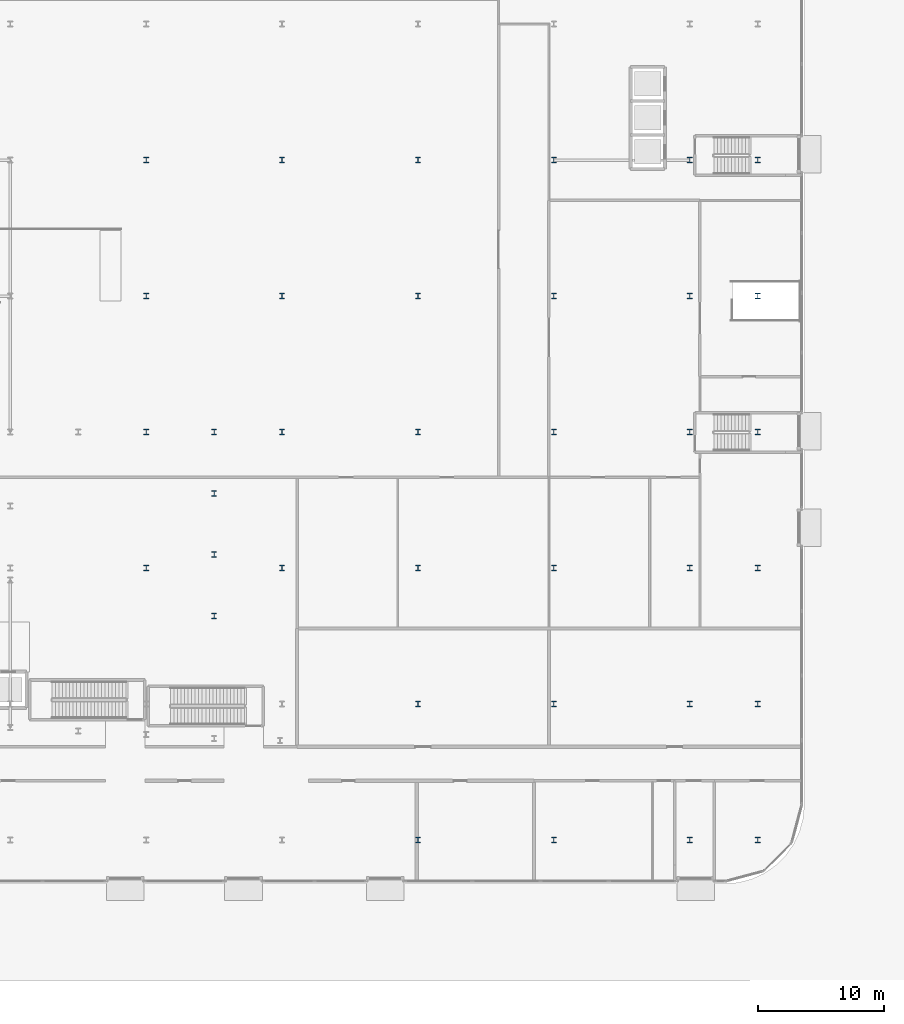
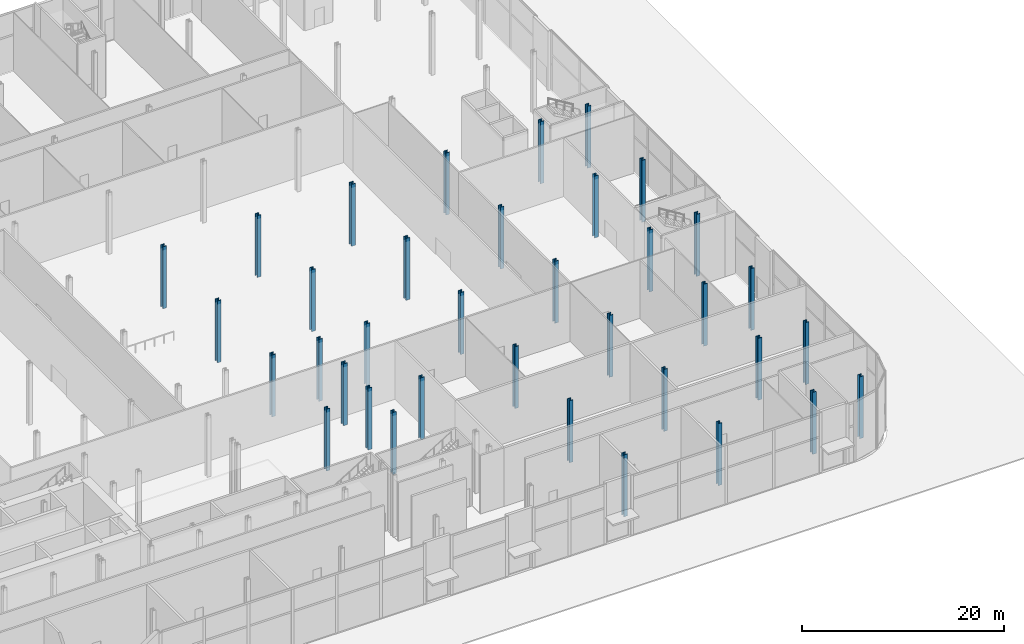
# One storey, part 2 of 46: 36 columns.
"""IFC4 building model written with IfcOpenShell, lengths in metres."""

from ifc_helpers import new_model, si_unit, direction, frame, origin, origin_2d, place, context, subcontext, project, spatial, i_section, extrude, material, material_profile, profile_set, type_object, element, save


model = new_model("IFC4")

# Units and contexts
model_context = context("Model", 3, precision=1e-05, world=origin(), true_north=direction((0.0, 1.0)))
body_context = subcontext(model_context, "Body", "Model", "MODEL_VIEW")
ifc_project = project(units=[si_unit("LENGTHUNIT", "METRE"), si_unit("AREAUNIT", "SQUARE_METRE"), si_unit("VOLUMEUNIT", "CUBIC_METRE"), si_unit("PLANEANGLEUNIT", "RADIAN"), si_unit("MASSUNIT", "GRAM", prefix="KILO")], contexts=[model_context])

# Site, building, storey
site_placement = place(None, origin())
site = spatial("IfcSite", under=ifc_project, at=site_placement, CompositionType="ELEMENT")
building_placement = place(site_placement, origin())
building = spatial("IfcBuilding", under=site, at=building_placement, Name="Kheshtan School and Residences Tower", CompositionType="ELEMENT")
storey_placement = place(building_placement, origin())
storey = spatial("IfcBuildingStorey", under=building, at=storey_placement, Name="L00", CompositionType="ELEMENT", Elevation=0.0)

# Columns
ifc_material = material(Name="Steel ASTM A992 Grade 50", Category="steel")
ifc_material_profile = material_profile(ifc_material, i_section(OverallWidth=0.424072265625, OverallDepth=0.47412109375, WebThickness=0.047607421875, FlangeThickness=0.0771484375, FilletRadius=0.01416015625, at=origin_2d()), Name="W360x634")
ifc_profile_set = profile_set([ifc_material_profile], Name="Steel ASTM A992 Grade 50")
column_type = type_object("IfcColumnType", Name="Column PC1 W360x634 ASTM A992 Grade 50", PredefinedType="COLUMN", material=ifc_profile_set)
for number, where, z_axis, x_axis, name in (
    (1, (101.60009765625, 13.199951171875, 0.0), (0.0, 0.0, 1.0), (1.0, 0.0, 0.0), "Column P-009"),
    (2, (112.39990234375, 13.199951171875, 0.0), (0.0, 0.0, 1.0), (1.0, 0.0, 0.0), "Column P-010"),
    (3, (123.199951171875, 13.199951171875, 0.0), (0.0, 0.0, 1.0), (1.0, 0.0, 0.0), "Column P-011"),
    (4, (128.60009765625, 13.199951171875, 0.0), (0.0, 0.0, 1.0), (1.0, 0.0, 0.0), "Column P-012"),
    (5, (101.60009765625, 24.0, 0.0), (0.0, 0.0, 1.0), (1.0, 0.0, 0.0), "Column P-021"),
    (6, (112.39990234375, 24.0, 0.0), (0.0, 0.0, 1.0), (1.0, 0.0, 0.0), "Column P-022"),
    (7, (123.199951171875, 24.0, 0.0), (0.0, 0.0, 1.0), (1.0, 0.0, 0.0), "Column P-023"),
    (8, (128.60009765625, 24.0, 0.0), (0.0, 0.0, 1.0), (1.0, 0.0, 0.0), "Column P-024"),
    (9, (80.0, 34.800048828125, 0.0), (0.0, 0.0, 1.0), (1.0, 0.0, 0.0), "Column P-031"),
    (10, (90.800048828125, 34.800048828125, 0.0), (0.0, 0.0, 1.0), (1.0, 0.0, 0.0), "Column P-032"),
    (11, (101.60009765625, 34.800048828125, 0.0), (0.0, 0.0, 1.0), (1.0, 0.0, 0.0), "Column P-033"),
    (12, (112.39990234375, 34.800048828125, 0.0), (0.0, 0.0, 1.0), (1.0, 0.0, 0.0), "Column P-034"),
    (13, (123.199951171875, 34.800048828125, 0.0), (0.0, 0.0, 1.0), (1.0, 0.0, 0.0), "Column P-035"),
    (14, (128.60009765625, 34.800048828125, 0.0), (0.0, 0.0, 1.0), (1.0, 0.0, 0.0), "Column P-036"),
    (15, (80.0, 45.60009765625, 0.0), (0.0, 0.0, 1.0), (1.0, 0.0, 0.0), "Column P-043"),
    (16, (90.800048828125, 45.60009765625, 0.0), (0.0, 0.0, 1.0), (1.0, 0.0, 0.0), "Column P-044"),
    (17, (101.60009765625, 45.60009765625, 0.0), (0.0, 0.0, 1.0), (1.0, 0.0, 0.0), "Column P-045"),
    (18, (112.39990234375, 45.60009765625, 0.0), (0.0, 0.0, 1.0), (1.0, 0.0, 0.0), "Column P-046"),
    (19, (123.199951171875, 45.60009765625, 0.0), (0.0, 0.0, 1.0), (1.0, 0.0, 0.0), "Column P-047"),
    (20, (128.60009765625, 45.60009765625, 0.0), (0.0, 0.0, 1.0), (1.0, 0.0, 0.0), "Column P-048"),
    (21, (80.0, 56.39990234375, 0.0), (0.0, 0.0, 1.0), (1.0, 0.0, 0.0), "Column P-055"),
    (22, (90.800048828125, 56.39990234375, 0.0), (0.0, 0.0, 1.0), (1.0, 0.0, 0.0), "Column P-056"),
    (23, (101.60009765625, 56.39990234375, 0.0), (0.0, 0.0, 1.0), (1.0, 0.0, 0.0), "Column P-057"),
    (24, (112.39990234375, 56.39990234375, 0.0), (0.0, 0.0, 1.0), (1.0, 0.0, 0.0), "Column P-058"),
    (25, (123.199951171875, 56.39990234375, 0.0), (0.0, 0.0, 1.0), (1.0, 0.0, 0.0), "Column P-059"),
    (26, (128.60009765625, 56.39990234375, 0.0), (0.0, 0.0, 1.0), (1.0, 0.0, 0.0), "Column P-060"),
    (27, (80.0, 67.199951171875, 0.0), (0.0, 0.0, 1.0), (1.0, 0.0, 0.0), "Column P-067"),
    (28, (90.800048828125, 67.199951171875, 0.0), (0.0, 0.0, 1.0), (1.0, 0.0, 0.0), "Column P-068"),
    (29, (101.60009765625, 67.199951171875, 0.0), (0.0, 0.0, 1.0), (1.0, 0.0, 0.0), "Column P-069"),
    (30, (112.39990234375, 67.199951171875, 0.0), (0.0, 0.0, 1.0), (1.0, 0.0, 0.0), "Column P-070"),
    (31, (123.199951171875, 67.199951171875, 0.0), (0.0, 0.0, 1.0), (1.0, 0.0, 0.0), "Column P-071"),
    (32, (128.60009765625, 67.199951171875, 0.0), (0.0, 0.0, 1.0), (1.0, 0.0, 0.0), "Column P-072"),
    (33, (85.39990234375, 45.60009765625, 0.0), (0.0, 0.0, 1.0), (1.0, 0.0, 0.0), "Transfer column X19"),
    (34, (85.39990234375, 31.0, 0.0), (0.0, 0.0, 1.0), (1.0, 0.0, 0.0), "Transfer column X35"),
    (35, (85.39990234375, 35.8701171875, 0.0), (0.0, 0.0, 1.0), (1.0, 0.0, 0.0), "Transfer column X38"),
    (36, (85.39990234375, 40.72998046875, 0.0), (0.0, 0.0, 1.0), (1.0, 0.0, 0.0), "Transfer column X41"),
):
    element("IfcColumn", number, at=place(storey_placement, frame(where, z_axis=z_axis, x_axis=x_axis)), inside=storey, type_object=column_type, Name=name, PredefinedType="COLUMN", context=body_context, shape_type="SweptSolid", body=[
        extrude(i_section(OverallWidth=0.424072265625, OverallDepth=0.47412109375, WebThickness=0.047607421875, FlangeThickness=0.0771484375, FilletRadius=0.01416015625, at=origin_2d()), origin(), (0.0, 0.0, 1.0), 7.5),
    ])

save(model, "model.ifc")
